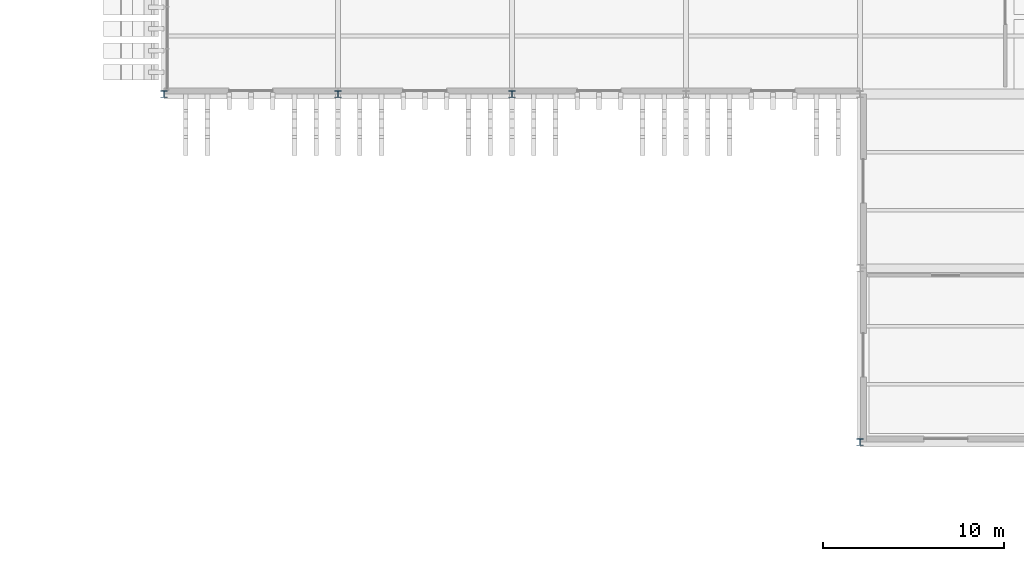
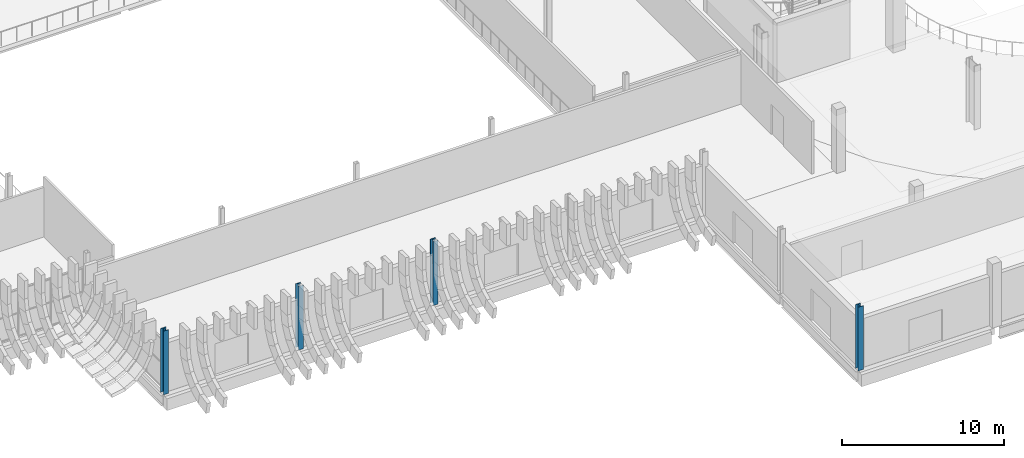
# One storey, part 1 of 100: 4 columns.
"""IFC4 building model written with IfcOpenShell, lengths in metres."""

from ifc_helpers import new_model, si_unit, direction, frame, origin, origin_2d, place, context, subcontext, project, spatial, i_section, extrude, material, material_profile, profile_set, type_object, element, save


model = new_model("IFC4")

# Units and contexts
model_context = context("Model", 3, precision=1e-05, world=origin(), true_north=direction((0.0, 1.0)))
body_context = subcontext(model_context, "Body", "Model", "MODEL_VIEW")
ifc_project = project(units=[si_unit("LENGTHUNIT", "METRE"), si_unit("AREAUNIT", "SQUARE_METRE"), si_unit("VOLUMEUNIT", "CUBIC_METRE"), si_unit("PLANEANGLEUNIT", "RADIAN"), si_unit("MASSUNIT", "GRAM", prefix="KILO")], contexts=[model_context])

# Site, building, storey
site_placement = place(None, origin())
site = spatial("IfcSite", under=ifc_project, at=site_placement, CompositionType="ELEMENT")
building_placement = place(site_placement, origin())
building = spatial("IfcBuilding", under=site, at=building_placement, Name="Caelomonte Colonnade Arena", CompositionType="ELEMENT")
storey_placement = place(building_placement, origin())
storey = spatial("IfcBuildingStorey", under=building, at=storey_placement, Name="L00", CompositionType="ELEMENT", Elevation=0.0)

# Columns
ifc_material = material(Name="Wide-flange steel ASTM A992 Grade 50", Category="steel")
ifc_material_profile = material_profile(ifc_material, i_section(OverallWidth=0.368896484375, OverallDepth=0.356201171875, WebThickness=0.01123046875, FlangeThickness=0.01806640625, FilletRadius=0.01513671875, at=origin_2d()), Name="W14X90")
ifc_profile_set = profile_set([ifc_material_profile], Name="Wide-flange steel ASTM A992 Grade 50")
column_type = type_object("IfcColumnType", Name="STR-COL-W14B", PredefinedType="COLUMN", material=ifc_profile_set)
for number, where, z_axis, x_axis, name in (
    (1, (9.60009765625, 28.800048828125, 0.0), (0.0, 0.0, 1.0), (1.0, 0.0, 0.0), "L00 column (9.6, 28.8)"),
    (2, (19.199951171875, 28.800048828125, 0.0), (0.0, 0.0, 1.0), (1.0, 0.0, 0.0), "L00 column (19.2, 28.8)"),
    (3, (28.800048828125, 28.800048828125, 0.0), (0.0, 0.0, 1.0), (1.0, 0.0, 0.0), "L00 column (28.8, 28.8)"),
    (4, (48.0, 9.60009765625, 0.0), (0.0, 0.0, 1.0), (1.0, 0.0, 0.0), "L00 column (48.0, 9.6)"),
):
    element("IfcColumn", number, at=place(storey_placement, frame(where, z_axis=z_axis, x_axis=x_axis)), inside=storey, type_object=column_type, Name=name, PredefinedType="COLUMN", context=body_context, shape_type="SweptSolid", body=[
        extrude(i_section(OverallWidth=0.368896484375, OverallDepth=0.356201171875, WebThickness=0.01123046875, FlangeThickness=0.01806640625, FilletRadius=0.01513671875, at=origin_2d()), origin(), (0.0, 0.0, 1.0), 4.800048828125),
    ])

save(model, "model.ifc")
